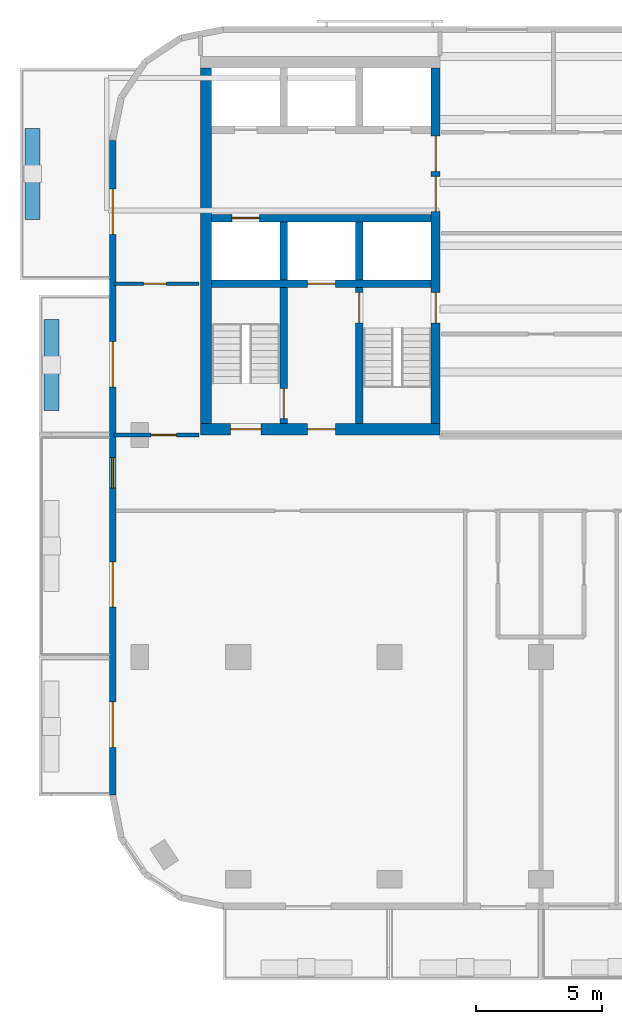
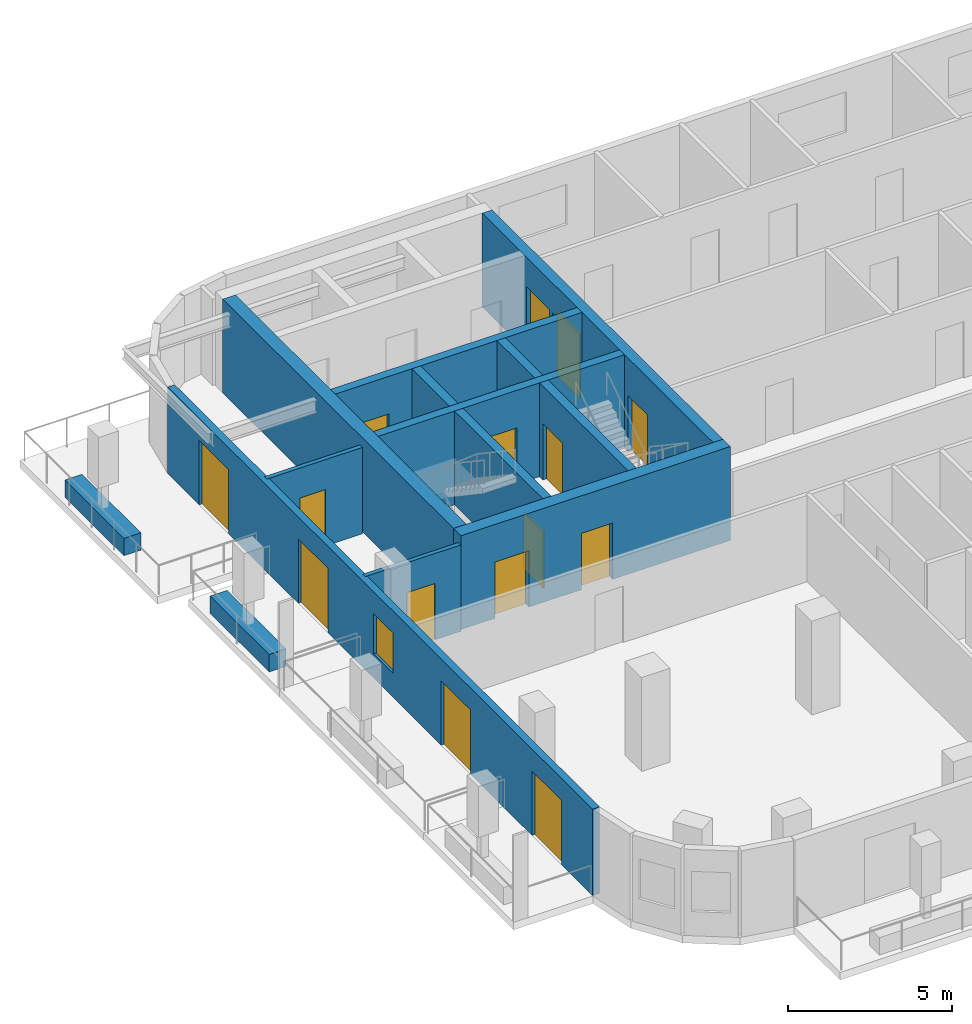
# One storey, part 3 of 11: 15 doors, 14 walls, 1 window, 16 openings.
"""IFC4 building model written with IfcOpenShell, lengths in metres."""

import ifcopenshell
import ifcopenshell.guid

model = None  # the IFC model being written
_history = None  # IfcOwnerHistory: only IFC2X3 demands one
_inside = {}  # id of a spatial element -> (the spatial element, [elements in it])
_under = {}  # id of a project, library or spatial element -> (it, [spatial elements below it])
_declared = {}  # id of a project -> (the project, [libraries it declares])
_typed = {}  # id of a type object -> (the type object, [elements of that type])
_made_of = {}  # id of a material, layer set ... -> (it, [elements and type objects made of it])


def new_model(schema):
    """Start an empty IFC model of exactly this schema.

    Asked for "IFC4X3", IfcOpenShell would pick the latest addendum, in which some entities
    have other attributes; the version numbers below select the first issue.
    IFC2X3 requires an IfcOwnerHistory on every rooted entity: one is made here for all.
    """
    global model, _history
    if schema == "IFC4X3":
        model = ifcopenshell.file(schema_version=(4, 3, 0, 0))
    else:
        model = ifcopenshell.file(schema=schema)
    _inside.clear()
    _under.clear()
    _declared.clear()
    _typed.clear()
    _made_of.clear()
    _history = None
    if model.schema == "IFC2X3":
        org = make("IfcOrganization", Name="unknown")
        user = make(
            "IfcPersonAndOrganization",
            ThePerson=make("IfcPerson", FamilyName="unknown"),
            TheOrganization=org,
        )
        app = make(
            "IfcApplication",
            ApplicationDeveloper=org,
            Version="unknown",
            ApplicationFullName="unknown",
            ApplicationIdentifier="unknown",
        )
        _history = make(
            "IfcOwnerHistory",
            OwningUser=user,
            OwningApplication=app,
            ChangeAction="ADDED",
            CreationDate=0,
        )
    return model


def make(cls, **values):
    """One entity of the class cls with the attributes given. An attribute that is None is left unset."""
    return model.create_entity(
        cls, **{name: value for name, value in values.items() if value is not None}
    )


def rooted(cls, **values):
    """An entity with a GlobalId (a new one), such as an element, a storey or a relation."""
    return make(cls, GlobalId=ifcopenshell.guid.new(), OwnerHistory=_history, **values)


def si_unit(unit_type, name, prefix=None):
    """IfcSIUnit, for example si_unit("LENGTHUNIT", "METRE", prefix="MILLI")."""
    return make("IfcSIUnit", UnitType=unit_type, Prefix=prefix, Name=name)


def assignment(units):
    """IfcUnitAssignment: the units of a project."""
    return None if units is None else make("IfcUnitAssignment", Units=units)


def point(xyz):
    """IfcCartesianPoint."""
    return None if xyz is None else make("IfcCartesianPoint", Coordinates=xyz)


def direction(xyz):
    """IfcDirection."""
    return None if xyz is None else make("IfcDirection", DirectionRatios=xyz)


def frame(location, z_axis=None, x_axis=None):
    """IfcAxis2Placement3D, a coordinate frame: its origin and axes. An axis left out is left unset."""
    return make(
        "IfcAxis2Placement3D",
        Location=point(location),
        Axis=direction(z_axis),
        RefDirection=direction(x_axis),
    )


def frame_2d(location, x_axis=None):
    """IfcAxis2Placement2D, a coordinate frame in the plane: its origin and x axis."""
    return make(
        "IfcAxis2Placement2D", Location=point(location), RefDirection=direction(x_axis)
    )


def origin():
    """The frame at (0, 0, 0) with its axes left unset."""
    return frame((0.0, 0.0, 0.0))


def place(relative_to, where):
    """IfcLocalPlacement: puts the frame where relative to a parent placement (None: the world)."""
    return make(
        "IfcLocalPlacement", PlacementRelTo=relative_to, RelativePlacement=where
    )


def context(
    kind, dimensions, precision=None, world=None, true_north=None, identifier=None
):
    """IfcGeometricRepresentationContext, for example the 3D "Model" context."""
    return make(
        "IfcGeometricRepresentationContext",
        ContextIdentifier=identifier,
        ContextType=kind,
        CoordinateSpaceDimension=dimensions,
        Precision=precision,
        WorldCoordinateSystem=world,
        TrueNorth=true_north,
    )


def subcontext(parent, identifier, kind, view, scale=None):
    """IfcGeometricRepresentationSubContext, for example "Body" below "Model"."""
    return make(
        "IfcGeometricRepresentationSubContext",
        ContextIdentifier=identifier,
        ContextType=kind,
        ParentContext=parent,
        TargetScale=scale,
        TargetView=view,
    )


def project(units=None, contexts=None):
    """IfcProject with its units and contexts."""
    return rooted(
        "IfcProject",
        Name="project",
        RepresentationContexts=contexts,
        UnitsInContext=assignment(units),
    )


def spatial(cls, under=None, at=None, **own):
    """A site, building, storey or space (cls), placed at a placement, below another one or the project."""
    s = rooted(cls, ObjectPlacement=at, **own)
    if under is not None:
        _under.setdefault(under.id(), (under, []))[1].append(s)
    return s


def profile(cls, at=None, kind="AREA", **sizes):
    """A parametric profile (cls). Its sizes go by their IFC names, for example OverallWidth=200.0."""
    return make(cls, ProfileType=kind, Position=at, **sizes)


def rectangle(**sizes):
    """IfcRectangleProfileDef."""
    return profile("IfcRectangleProfileDef", **sizes)


def extrude(swept, where, along, depth):
    """IfcExtrudedAreaSolid: the profile swept, set in the frame where, extruded along a direction by depth."""
    return make(
        "IfcExtrudedAreaSolid",
        SweptArea=swept,
        Position=where,
        ExtrudedDirection=direction(along),
        Depth=depth,
    )


def shape(context_of_items, identifier, shape_type, items):
    """IfcShapeRepresentation: the items that make up one representation, for example the "Body"."""
    return make(
        "IfcShapeRepresentation",
        ContextOfItems=context_of_items,
        RepresentationIdentifier=identifier,
        RepresentationType=shape_type,
        Items=items,
    )


def material(Name=None, Category=None):
    """IfcMaterial."""
    return make("IfcMaterial", Name=Name, Category=Category)


def layer(
    of_material, thickness, ventilated=None, Name=None, Category=None, Priority=None
):
    """IfcMaterialLayer: one layer of a wall or slab, of a material (None: an air gap)."""
    return make(
        "IfcMaterialLayer",
        Material=of_material,
        LayerThickness=thickness,
        IsVentilated=ventilated,
        Name=Name,
        Category=Category,
        Priority=Priority,
    )


def layer_set(layers, Name=None):
    """IfcMaterialLayerSet."""
    return make("IfcMaterialLayerSet", MaterialLayers=layers, LayerSetName=Name)


def made_of(thing, what):
    """Note that an element or type object is made of a material, layer set ...; save() writes the relation."""
    if what is not None:
        _made_of.setdefault(what.id(), (what, []))[1].append(thing)
    return thing


def type_object(cls, material=None, **own):
    """A type object (cls), such as IfcWallType, which elements share."""
    return made_of(rooted(cls, **own), material)


def element(
    cls,
    number,
    at=None,
    inside=None,
    cuts=None,
    type_object=None,
    material=None,
    context=None,
    identifier="Body",
    shape_type=None,
    held_by="IfcProductDefinitionShape",
    body=None,
    shapes=None,
    **own,
):
    """One element of the class cls, such as IfcWall. Its Tag is "e" and its number.

    at: its placement. inside: the storey or other place that contains it. cuts: it is an
    opening in that element (IfcRelVoidsElement). A single representation is given by context,
    identifier, shape_type and body (its items); several are given by shapes. held_by: the class
    of the entity that holds the representations. save() writes the other relations.
    """
    e = rooted(cls, Tag="e%d" % number, ObjectPlacement=at, **own)
    if body is not None:
        shapes = [shape(context, identifier, shape_type, body)]
    if shapes is not None:
        e.Representation = make(held_by, Representations=shapes)
    if inside is not None:
        _inside.setdefault(inside.id(), (inside, []))[1].append(e)
    if cuts is not None:
        rooted(
            "IfcRelVoidsElement", RelatingBuildingElement=cuts, RelatedOpeningElement=e
        )
    if type_object is not None:
        _typed.setdefault(type_object.id(), (type_object, []))[1].append(e)
    return made_of(e, material)


def fill(opening, filler):
    """IfcRelFillsElement: the door or window that sits in an opening."""
    return rooted(
        "IfcRelFillsElement",
        RelatingOpeningElement=opening,
        RelatedBuildingElement=filler,
    )


def aggregate(whole, parts):
    """IfcRelAggregates: a whole, such as a stair, and the parts it consists of."""
    return rooted("IfcRelAggregates", RelatingObject=whole, RelatedObjects=parts)


def save(model, path):
    """Write the relations noted so far, then the file.

    IfcRelAggregates (storeys below a building ...), IfcRelContainedInSpatialStructure (elements
    in a storey), IfcRelDefinesByType, IfcRelAssociatesMaterial and IfcRelDeclares: one each for
    every whole, place, type object, material and project.
    """
    for whole, parts in _under.values():
        aggregate(whole, parts)
    for where, things in _inside.values():
        rooted(
            "IfcRelContainedInSpatialStructure",
            RelatedElements=things,
            RelatingStructure=where,
        )
    for kind, things in _typed.values():
        rooted("IfcRelDefinesByType", RelatedObjects=things, RelatingType=kind)
    for what, things in _made_of.values():
        rooted("IfcRelAssociatesMaterial", RelatedObjects=things, RelatingMaterial=what)
    for by, libraries in _declared.values():
        rooted("IfcRelDeclares", RelatingContext=by, RelatedDefinitions=libraries)
    model.write(path)


model = new_model("IFC4")

# Units and contexts
model_context = context("Model", 3, precision=1e-05, world=origin(), true_north=direction((0.0, 1.0)))
body_context = subcontext(model_context, "Body", "Model", "MODEL_VIEW")
ifc_project = project(units=[si_unit("LENGTHUNIT", "METRE"), si_unit("AREAUNIT", "SQUARE_METRE"), si_unit("VOLUMEUNIT", "CUBIC_METRE"), si_unit("PLANEANGLEUNIT", "RADIAN"), si_unit("MASSUNIT", "GRAM", prefix="KILO")], contexts=[model_context])

# Site, building, storey
site_placement = place(None, origin())
site = spatial("IfcSite", under=ifc_project, at=site_placement, CompositionType="ELEMENT")
building_placement = place(site_placement, origin())
building = spatial("IfcBuilding", under=site, at=building_placement, Name="Torana Hotel and Residences", CompositionType="ELEMENT")
storey_placement = place(building_placement, frame((0.0, 0.0, 266.60009765625)))
storey = spatial("IfcBuildingStorey", under=building, at=storey_placement, Name="L70", CompositionType="ELEMENT", Elevation=266.60009765625)

# Wall, opening, door
ifc_material_1 = material(Name="Concrete C60/75", Category="concrete")
ifc_layer_1 = layer(ifc_material_1, 0.300048828125)
ifc_layer_set_1 = layer_set([ifc_layer_1], Name="CORE WALL 300 C60/75")
wall_type_1 = type_object("IfcWallType", Name="CORE WALL 300 C60/75", PredefinedType="SHEAR", material=ifc_layer_set_1)
wall_1_placement = place(storey_placement, frame((-19.050048828125, -6.39990234375, 0.0), z_axis=(0.0, 0.0, 1.0), x_axis=(1.0, 0.0, 0.0)))
wall_1 = element("IfcWall", 1, at=wall_1_placement, inside=storey, type_object=wall_type_1, Name="Core wall W row-S", PredefinedType="SHEAR", context=body_context, shape_type="SweptSolid", body=[
    extrude(rectangle(XDim=8.699951171875, YDim=0.300048828125, at=frame_2d((4.35009765625, 0.0))), origin(), (0.0, 0.0, 1.0), 3.5),
])
opening_1_placement = place(wall_1_placement, frame((0.800048828125, 0.0, 0.0)))
opening_1 = element("IfcOpeningElement", 2, at=opening_1_placement, cuts=wall_1, Name="Opening LD", PredefinedType="OPENING", context=body_context, shape_type="SweptSolid", body=[
    extrude(rectangle(XDim=1.10009765625, YDim=2.10009765625, at=frame_2d((0.550048828125, 1.050048828125))), frame((0.0, 0.159912109375, 0.0), z_axis=(0.0, -1.0, 0.0), x_axis=(1.0, 0.0, 0.0)), (0.0, 0.0, 1.0), 0.320068359375),
])
ifc_material_2 = material(Name="Stainless steel 316", Category="steel")
door_type_1 = type_object("IfcDoorType", Name="LIFT LANDING DOOR LD 1100x2100", OperationType="DOUBLE_DOOR_SLIDING", PredefinedType="USERDEFINED", material=ifc_material_2)
door_1_placement = place(opening_1_placement, origin())
door_1 = element("IfcDoor", 3, at=door_1_placement, inside=storey, type_object=door_type_1, Name="Lift landing door SV1 L70", ObjectType="LIFT LANDING DOOR", OperationType="DOUBLE_DOOR_SLIDING", OverallHeight=2.10009765625, OverallWidth=1.10009765625, PredefinedType="USERDEFINED", context=body_context, shape_type="SweptSolid", body=[
    extrude(rectangle(XDim=1.10009765625, YDim=2.10009765625, at=frame_2d((0.550048828125, 1.050048828125))), frame((0.0, 0.02490234375, 0.0), z_axis=(0.0, -1.0, 0.0), x_axis=(1.0, 0.0, 0.0)), (0.0, 0.0, 1.0), 0.050048828125),
])
fill(opening_1, door_1)

wall_2_placement = place(storey_placement, frame((-19.050048828125, -9.0, 0.0), z_axis=(0.0, 0.0, 1.0), x_axis=(1.0, 0.0, 0.0)))
wall_2 = element("IfcWall", 4, at=wall_2_placement, inside=storey, type_object=wall_type_1, Name="Core wall W band", PredefinedType="SHEAR", context=body_context, shape_type="SweptSolid", body=[
    extrude(rectangle(XDim=8.699951171875, YDim=0.300048828125, at=frame_2d((4.35009765625, 0.0))), origin(), (0.0, 0.0, 1.0), 3.5),
])
opening_2_placement = place(wall_2_placement, frame((3.800048828125, 0.0, 0.0)))
opening_2 = element("IfcOpeningElement", 5, at=opening_2_placement, cuts=wall_2, Name="Opening LD", PredefinedType="OPENING", context=body_context, shape_type="SweptSolid", body=[
    extrude(rectangle(XDim=1.10009765625, YDim=2.10009765625, at=frame_2d((0.550048828125, 1.050048828125))), frame((0.0, 0.159912109375, 0.0), z_axis=(0.0, -1.0, 0.0), x_axis=(1.0, 0.0, 0.0)), (0.0, 0.0, 1.0), 0.320068359375),
])
door_2_placement = place(opening_2_placement, origin())
door_2 = element("IfcDoor", 6, at=door_2_placement, inside=storey, type_object=door_type_1, Name="Lift landing door FF1 L70", ObjectType="LIFT LANDING DOOR", OperationType="DOUBLE_DOOR_SLIDING", OverallHeight=2.10009765625, OverallWidth=1.10009765625, PredefinedType="USERDEFINED", context=body_context, shape_type="SweptSolid", body=[
    extrude(rectangle(XDim=1.10009765625, YDim=2.10009765625, at=frame_2d((0.550048828125, 1.050048828125))), frame((0.0, 0.02490234375, 0.0), z_axis=(0.0, -1.0, 0.0), x_axis=(1.0, 0.0, 0.0)), (0.0, 0.0, 1.0), 0.050048828125),
])
fill(opening_2, door_2)

# Wall
wall_3_placement = place(storey_placement, frame((-13.199951171875, -8.85009765625, 0.0), z_axis=(0.0, 0.0, 1.0), x_axis=(0.0, 1.0, 0.0)))
element("IfcWall", 7, at=wall_3_placement, inside=storey, type_object=wall_type_1, Name="Core wall W x3.05-S", PredefinedType="SHEAR", context=body_context, shape_type="SweptSolid", body=[
    extrude(rectangle(XDim=2.300048828125, YDim=0.300048828125, at=frame_2d((1.14990234375, 0.0))), origin(), (0.0, 0.0, 1.0), 3.5),
])

# Wall, opening, door
wall_4_placement = place(storey_placement, frame((-13.199951171875, -14.550048828125, 0.0), z_axis=(0.0, 0.0, 1.0), x_axis=(0.0, 1.0, 0.0)))
wall_4 = element("IfcWall", 8, at=wall_4_placement, inside=storey, type_object=wall_type_1, Name="Core wall W x3.05-band", PredefinedType="SHEAR", context=body_context, shape_type="SweptSolid", body=[
    extrude(rectangle(XDim=5.400146484375, YDim=0.300048828125, at=frame_2d((2.7001953125, 0.0))), origin(), (0.0, 0.0, 1.0), 3.5),
])
opening_3_placement = place(wall_4_placement, frame((4.0, 0.0, 0.0)))
opening_3 = element("IfcOpeningElement", 9, at=opening_3_placement, cuts=wall_4, Name="Opening L70-07", PredefinedType="OPENING", context=body_context, shape_type="SweptSolid", body=[
    extrude(rectangle(XDim=1.199951171875, YDim=2.10009765625, at=frame_2d((0.60009765625, 1.050048828125))), frame((0.0, 0.159912109375, 0.0), z_axis=(0.0, -1.0, 0.0), x_axis=(1.0, 0.0, 0.0)), (0.0, 0.0, 1.0), 0.320068359375),
])
ifc_material_3 = material(Name="Steel S235", Category="steel")
door_type_2 = type_object("IfcDoorType", Name="STAIR FIRE DOOR D3 1200x2100", OperationType="SINGLE_SWING_LEFT", PredefinedType="DOOR", material=ifc_material_3)
door_3_placement = place(opening_3_placement, frame((0.60009765625, 0.0, 0.0), z_axis=(0.0, 0.0, 1.0), x_axis=(-1.0, 0.0, 0.0)))
door_3 = element("IfcDoor", 10, at=door_3_placement, inside=storey, type_object=door_type_2, Name="Stair-A-lobby door L70", OperationType="SINGLE_SWING_RIGHT", OverallHeight=2.10009765625, OverallWidth=1.199951171875, PredefinedType="DOOR", context=body_context, shape_type="SweptSolid", body=[
    extrude(rectangle(XDim=1.199951171875, YDim=2.10009765625, at=frame_2d((0.0, 1.050048828125))), frame((0.0, -0.02490234375, 0.0), z_axis=(0.0, 1.0, 0.0), x_axis=(-1.0, 0.0, 0.0)), (0.0, 0.0, 1.0), 0.050048828125),
])
fill(opening_3, door_3)

# Wall
wall_5_placement = place(storey_placement, frame((-16.199951171875, -8.85009765625, 0.0), z_axis=(0.0, 0.0, 1.0), x_axis=(0.0, 1.0, 0.0)))
element("IfcWall", 11, at=wall_5_placement, inside=storey, type_object=wall_type_1, Name="Core wall W x6.05-S", PredefinedType="SHEAR", context=body_context, shape_type="SweptSolid", body=[
    extrude(rectangle(XDim=2.300048828125, YDim=0.300048828125, at=frame_2d((1.14990234375, 0.0))), origin(), (0.0, 0.0, 1.0), 3.5),
])

# Wall, opening, door
wall_6_placement = place(storey_placement, frame((-16.199951171875, -14.550048828125, 0.0), z_axis=(0.0, 0.0, 1.0), x_axis=(0.0, 1.0, 0.0)))
wall_6 = element("IfcWall", 12, at=wall_6_placement, inside=storey, type_object=wall_type_1, Name="Core wall W x6.05-band", PredefinedType="SHEAR", context=body_context, shape_type="SweptSolid", body=[
    extrude(rectangle(XDim=5.400146484375, YDim=0.300048828125, at=frame_2d((2.7001953125, 0.0))), origin(), (0.0, 0.0, 1.0), 3.5),
])
opening_4_placement = place(wall_6_placement, frame((0.199951171875, 0.0, 0.0)))
opening_4 = element("IfcOpeningElement", 13, at=opening_4_placement, cuts=wall_6, Name="Opening L70-08", PredefinedType="OPENING", context=body_context, shape_type="SweptSolid", body=[
    extrude(rectangle(XDim=1.199951171875, YDim=2.10009765625, at=frame_2d((0.60009765625, 1.050048828125))), frame((0.0, 0.159912109375, 0.0), z_axis=(0.0, -1.0, 0.0), x_axis=(1.0, 0.0, 0.0)), (0.0, 0.0, 1.0), 0.320068359375),
])
door_4_placement = place(opening_4_placement, origin())
door_4 = element("IfcDoor", 14, at=door_4_placement, inside=storey, type_object=door_type_2, Name="Stair-B-lobby door L70", OperationType="SINGLE_SWING_RIGHT", OverallHeight=2.10009765625, OverallWidth=1.199951171875, PredefinedType="DOOR", context=body_context, shape_type="SweptSolid", body=[
    extrude(rectangle(XDim=1.199951171875, YDim=2.10009765625, at=frame_2d((0.60009765625, 1.050048828125))), frame((0.0, 0.02490234375, 0.0), z_axis=(0.0, -1.0, 0.0), x_axis=(1.0, 0.0, 0.0)), (0.0, 0.0, 1.0), 0.050048828125),
])
fill(opening_4, door_4)

# Wall, openings, doors
ifc_material_4 = material(Name="Concrete C60/75", Category="concrete")
ifc_layer_2 = layer(ifc_material_4, 0.35009765625)
ifc_layer_set_2 = layer_set([ifc_layer_2], Name="CORE WALL 350 C60/75")
wall_type_2 = type_object("IfcWallType", Name="CORE WALL 350 C60/75", PredefinedType="SHEAR", material=ifc_layer_set_2)
wall_7_placement = place(storey_placement, frame((-10.175048828125, -14.550048828125, 0.0), z_axis=(0.0, 0.0, 1.0), x_axis=(0.0, 1.0, 0.0)))
wall_7 = element("IfcWall", 15, at=wall_7_placement, inside=storey, type_object=wall_type_2, Name="Core wall W arch", PredefinedType="SHEAR", context=body_context, shape_type="SweptSolid", body=[
    extrude(rectangle(XDim=14.10009765625, YDim=0.35009765625, at=frame_2d((7.050048828125, 0.0))), origin(), (0.0, 0.0, 1.0), 3.5),
])
opening_5_placement = place(wall_7_placement, frame((8.39990234375, 0.0, 0.0)))
opening_5 = element("IfcOpeningElement", 16, at=opening_5_placement, cuts=wall_7, Name="Opening L70-01", PredefinedType="OPENING", context=body_context, shape_type="SweptSolid", body=[
    extrude(rectangle(XDim=1.39990234375, YDim=2.39990234375, at=frame_2d((0.699951171875, 1.199951171875))), frame((0.0, 0.18505859375, 0.0), z_axis=(0.0, -1.0, 0.0), x_axis=(1.0, 0.0, 0.0)), (0.0, 0.0, 1.0), 0.3701171875),
])
opening_6_placement = place(wall_7_placement, frame((10.0, 0.0, 0.0)))
opening_6 = element("IfcOpeningElement", 17, at=opening_6_placement, cuts=wall_7, Name="Opening L70-02", PredefinedType="OPENING", context=body_context, shape_type="SweptSolid", body=[
    extrude(rectangle(XDim=1.39990234375, YDim=2.39990234375, at=frame_2d((0.699951171875, 1.199951171875))), frame((0.0, 0.18505859375, 0.0), z_axis=(0.0, -1.0, 0.0), x_axis=(1.0, 0.0, 0.0)), (0.0, 0.0, 1.0), 0.3701171875),
])
opening_7_placement = place(wall_7_placement, frame((4.0, 0.0, 0.0)))
opening_7 = element("IfcOpeningElement", 18, at=opening_7_placement, cuts=wall_7, Name="Opening L70-03", PredefinedType="OPENING", context=body_context, shape_type="SweptSolid", body=[
    extrude(rectangle(XDim=1.199951171875, YDim=2.10009765625, at=frame_2d((0.60009765625, 1.050048828125))), frame((0.0, 0.18505859375, 0.0), z_axis=(0.0, -1.0, 0.0), x_axis=(1.0, 0.0, 0.0)), (0.0, 0.0, 1.0), 0.3701171875),
])
ifc_material_5 = material(Name="Steel S235", Category="steel")
door_type_3 = type_object("IfcDoorType", Name="LOBBY FIRE DOOR D4 1400x2400", OperationType="DOUBLE_DOOR_SINGLE_SWING", PredefinedType="DOOR", material=ifc_material_5)
door_5_placement = place(opening_5_placement, origin())
door_5 = element("IfcDoor", 19, at=door_5_placement, inside=storey, type_object=door_type_3, Name="Lobby-1 door L70", OperationType="DOUBLE_DOOR_SINGLE_SWING", OverallHeight=2.39990234375, OverallWidth=1.39990234375, PredefinedType="DOOR", context=body_context, shape_type="SweptSolid", body=[
    extrude(rectangle(XDim=1.39990234375, YDim=2.39990234375, at=frame_2d((0.699951171875, 1.199951171875))), frame((0.0, 0.02490234375, 0.0), z_axis=(0.0, -1.0, 0.0), x_axis=(1.0, 0.0, 0.0)), (0.0, 0.0, 1.0), 0.050048828125),
])
fill(opening_5, door_5)
door_6_placement = place(opening_6_placement, origin())
door_6 = element("IfcDoor", 20, at=door_6_placement, inside=storey, type_object=door_type_3, Name="Lobby-2 door L70", OperationType="DOUBLE_DOOR_SINGLE_SWING", OverallHeight=2.39990234375, OverallWidth=1.39990234375, PredefinedType="DOOR", context=body_context, shape_type="SweptSolid", body=[
    extrude(rectangle(XDim=1.39990234375, YDim=2.39990234375, at=frame_2d((0.699951171875, 1.199951171875))), frame((0.0, 0.02490234375, 0.0), z_axis=(0.0, -1.0, 0.0), x_axis=(1.0, 0.0, 0.0)), (0.0, 0.0, 1.0), 0.050048828125),
])
fill(opening_6, door_6)
door_7_placement = place(opening_7_placement, origin())
door_7 = element("IfcDoor", 21, at=door_7_placement, inside=storey, type_object=door_type_2, Name="Stair-A door L70", OperationType="SINGLE_SWING_LEFT", OverallHeight=2.10009765625, OverallWidth=1.199951171875, PredefinedType="DOOR", context=body_context, shape_type="SweptSolid", body=[
    extrude(rectangle(XDim=1.199951171875, YDim=2.10009765625, at=frame_2d((0.60009765625, 1.050048828125))), frame((0.0, 0.02490234375, 0.0), z_axis=(0.0, -1.0, 0.0), x_axis=(1.0, 0.0, 0.0)), (0.0, 0.0, 1.0), 0.050048828125),
])
fill(opening_7, door_7)

ifc_material_6 = material(Name="Concrete C60/75", Category="concrete")
ifc_layer_3 = layer(ifc_material_6, 0.449951171875)
ifc_layer_set_3 = layer_set([ifc_layer_3], Name="CORE WALL 450 C60/75")
wall_type_3 = type_object("IfcWallType", Name="CORE WALL 450 C60/75", PredefinedType="SHEAR", material=ifc_layer_set_3)
wall_8_placement = place(storey_placement, frame((-19.5, -14.77490234375, 0.0), z_axis=(0.0, 0.0, 1.0), x_axis=(1.0, 0.0, 0.0)))
wall_8 = element("IfcWall", 22, at=wall_8_placement, inside=storey, type_object=wall_type_3, Name="Core wall W front", PredefinedType="SHEAR", context=body_context, shape_type="SweptSolid", body=[
    extrude(rectangle(XDim=9.5, YDim=0.449951171875, at=frame_2d((4.75, 0.0))), origin(), (0.0, 0.0, 1.0), 3.5),
])
opening_8_placement = place(wall_8_placement, frame((1.199951171875, 0.0, 0.0)))
opening_8 = element("IfcOpeningElement", 23, at=opening_8_placement, cuts=wall_8, Name="Opening L70-04", PredefinedType="OPENING", context=body_context, shape_type="SweptSolid", body=[
    extrude(rectangle(XDim=1.199951171875, YDim=2.10009765625, at=frame_2d((0.60009765625, 1.050048828125))), frame((0.0, 0.23486328125, 0.0), z_axis=(0.0, -1.0, 0.0), x_axis=(1.0, 0.0, 0.0)), (0.0, 0.0, 1.0), 0.469970703125),
])
opening_9_placement = place(wall_8_placement, frame((4.25, 0.0, 0.0)))
opening_9 = element("IfcOpeningElement", 24, at=opening_9_placement, cuts=wall_8, Name="Opening L70-05", PredefinedType="OPENING", context=body_context, shape_type="SweptSolid", body=[
    extrude(rectangle(XDim=1.10009765625, YDim=2.10009765625, at=frame_2d((0.550048828125, 1.050048828125))), frame((0.0, 0.23486328125, 0.0), z_axis=(0.0, -1.0, 0.0), x_axis=(1.0, 0.0, 0.0)), (0.0, 0.0, 1.0), 0.469970703125),
])
ifc_material_7 = material(Name="Steel S235", Category="steel")
door_type_4 = type_object("IfcDoorType", Name="FIRE-FIGHTING LOBBY DOOR D8 1100x2100", OperationType="SINGLE_SWING_LEFT", PredefinedType="DOOR", material=ifc_material_7)
door_8_placement = place(opening_9_placement, origin())
door_8 = element("IfcDoor", 25, at=door_8_placement, inside=storey, type_object=door_type_4, Name="FF-lobby door L70", OperationType="SINGLE_SWING_RIGHT", OverallHeight=2.10009765625, OverallWidth=1.10009765625, PredefinedType="DOOR", context=body_context, shape_type="SweptSolid", body=[
    extrude(rectangle(XDim=1.10009765625, YDim=2.10009765625, at=frame_2d((0.550048828125, 1.050048828125))), frame((0.0, 0.02490234375, 0.0), z_axis=(0.0, -1.0, 0.0), x_axis=(1.0, 0.0, 0.0)), (0.0, 0.0, 1.0), 0.050048828125),
])
fill(opening_9, door_8)
door_9_placement = place(opening_8_placement, origin())
door_9 = element("IfcDoor", 26, at=door_9_placement, inside=storey, type_object=door_type_2, Name="Stair-B door L70", OperationType="SINGLE_SWING_RIGHT", OverallHeight=2.10009765625, OverallWidth=1.199951171875, PredefinedType="DOOR", context=body_context, shape_type="SweptSolid", body=[
    extrude(rectangle(XDim=1.199951171875, YDim=2.10009765625, at=frame_2d((0.60009765625, 1.050048828125))), frame((0.0, 0.02490234375, 0.0), z_axis=(0.0, -1.0, 0.0), x_axis=(1.0, 0.0, 0.0)), (0.0, 0.0, 1.0), 0.050048828125),
])
fill(opening_8, door_9)

# Wall
wall_9_placement = place(storey_placement, frame((-19.27490234375, -14.550048828125, 0.0), z_axis=(0.0, 0.0, 1.0), x_axis=(0.0, 1.0, 0.0)))
element("IfcWall", 27, at=wall_9_placement, inside=storey, type_object=wall_type_3, Name="Core wall W outer", PredefinedType="SHEAR", context=body_context, shape_type="SweptSolid", body=[
    extrude(rectangle(XDim=14.10009765625, YDim=0.449951171875, at=frame_2d((7.050048828125, 0.0))), origin(), (0.0, 0.0, 1.0), 3.5),
])

# Wall, openings, doors, window
ifc_material_8 = material(Name="Black aluminium composite panel", Category="aluminium")
ifc_layer_4 = layer(ifc_material_8, 0.00390625, Name="Cladding", Category="cladding")
ifc_material_9 = material(Name="Ventilated air cavity")
ifc_layer_5 = layer(ifc_material_9, 0.0400390625, Name="Ventilated cavity", Category="cavity")
ifc_material_10 = material(Name="Mineral wool insulation")
ifc_layer_6 = layer(ifc_material_10, 0.090087890625, Name="Insulation", Category="insulation")
ifc_material_11 = material(Name="Steel S280GD", Category="steel")
ifc_layer_7 = layer(ifc_material_11, 0.092041015625, Name="Steel stud frame", Category="structure")
ifc_material_12 = material(Name="Fire rated plasterboard")
ifc_layer_8 = layer(ifc_material_12, 0.011962890625, Name="Inner board", Category="finish")
ifc_layer_9 = layer(ifc_material_12, 0.011962890625, Name="Second board", Category="finish")
ifc_layer_set_4 = layer_set([ifc_layer_4, ifc_layer_5, ifc_layer_6, ifc_layer_7, ifc_layer_8, ifc_layer_9], Name="EW1 EXTERNAL WALL BLACK METAL CLAD 250")
wall_type_4 = type_object("IfcWallType", Name="EW1 EXTERNAL WALL BLACK METAL CLAD 250", PredefinedType="SOLIDWALL", material=ifc_layer_set_4)
wall_10_placement = place(storey_placement, frame((-22.97509765625, -3.32470703125, 0.0), z_axis=(0.0, 0.0, 1.0), x_axis=(0.0, -1.0, 0.0)))
wall_10 = element("IfcWall", 28, at=wall_10_placement, inside=storey, type_object=wall_type_4, Name="External wall L70 e0.9", PredefinedType="SOLIDWALL", context=body_context, shape_type="SweptSolid", body=[
    extrude(rectangle(XDim=25.95068359375, YDim=0.25, at=frame_2d((12.975341796875, 0.0))), origin(), (0.0, 0.0, 1.0), 3.219970703125),
])
opening_10_placement = place(wall_10_placement, frame((1.92529296875, 0.0, 0.0)))
opening_10 = element("IfcOpeningElement", 29, at=opening_10_placement, cuts=wall_10, Name="Opening L70-E11", PredefinedType="OPENING", context=body_context, shape_type="SweptSolid", body=[
    extrude(rectangle(XDim=1.800048828125, YDim=2.39990234375, at=frame_2d((0.89990234375, 1.199951171875))), frame((0.0, 0.135009765625, 0.0), z_axis=(0.0, -1.0, 0.0), x_axis=(1.0, 0.0, 0.0)), (0.0, 0.0, 1.0), 0.27001953125),
])
opening_11_placement = place(wall_10_placement, frame((7.975341796875, 0.0, 0.0)))
opening_11 = element("IfcOpeningElement", 30, at=opening_11_placement, cuts=wall_10, Name="Opening L70-E12", PredefinedType="OPENING", context=body_context, shape_type="SweptSolid", body=[
    extrude(rectangle(XDim=1.800048828125, YDim=2.39990234375, at=frame_2d((0.89990234375, 1.199951171875))), frame((0.0, 0.135009765625, 0.0), z_axis=(0.0, -1.0, 0.0), x_axis=(1.0, 0.0, 0.0)), (0.0, 0.0, 1.0), 0.27001953125),
])
opening_12_placement = place(wall_10_placement, frame((12.575439453125, 0.0, 0.89990234375)))
opening_12 = element("IfcOpeningElement", 31, at=opening_12_placement, cuts=wall_10, Name="Opening W5", PredefinedType="OPENING", context=body_context, shape_type="SweptSolid", body=[
    extrude(rectangle(XDim=1.199951171875, YDim=1.5, at=frame_2d((0.60009765625, 0.75))), frame((0.0, 0.135009765625, 0.0), z_axis=(0.0, -1.0, 0.0), x_axis=(1.0, 0.0, 0.0)), (0.0, 0.0, 1.0), 0.27001953125),
])
opening_13_placement = place(wall_10_placement, frame((16.700439453125, 0.0, 0.0)))
opening_13 = element("IfcOpeningElement", 32, at=opening_13_placement, cuts=wall_10, Name="Opening L70-E13", PredefinedType="OPENING", context=body_context, shape_type="SweptSolid", body=[
    extrude(rectangle(XDim=1.800048828125, YDim=2.39990234375, at=frame_2d((0.89990234375, 1.199951171875))), frame((0.0, 0.135009765625, 0.0), z_axis=(0.0, -1.0, 0.0), x_axis=(1.0, 0.0, 0.0)), (0.0, 0.0, 1.0), 0.27001953125),
])
opening_14_placement = place(wall_10_placement, frame((22.25048828125, 0.0, 0.0)))
opening_14 = element("IfcOpeningElement", 33, at=opening_14_placement, cuts=wall_10, Name="Opening L70-E14", PredefinedType="OPENING", context=body_context, shape_type="SweptSolid", body=[
    extrude(rectangle(XDim=1.800048828125, YDim=2.39990234375, at=frame_2d((0.89990234375, 1.199951171875))), frame((0.0, 0.135009765625, 0.0), z_axis=(0.0, -1.0, 0.0), x_axis=(1.0, 0.0, 0.0)), (0.0, 0.0, 1.0), 0.27001953125),
])
ifc_material_13 = material(Name="Dark glass in black aluminium frame", Category="aluminium")
door_type_5 = type_object("IfcDoorType", Name="DB1 BALCONY DOOR 1800x2400", OperationType="DOUBLE_DOOR_SINGLE_SWING", PredefinedType="DOOR", material=ifc_material_13)
door_10_placement = place(opening_10_placement, origin())
door_10 = element("IfcDoor", 34, at=door_10_placement, inside=storey, type_object=door_type_5, Name="Balcony door L70", OperationType="DOUBLE_DOOR_SINGLE_SWING", OverallHeight=2.39990234375, OverallWidth=1.800048828125, PredefinedType="DOOR", context=body_context, shape_type="SweptSolid", body=[
    extrude(rectangle(XDim=1.800048828125, YDim=2.39990234375, at=frame_2d((0.89990234375, 1.199951171875))), frame((0.0, 0.02490234375, 0.0), z_axis=(0.0, -1.0, 0.0), x_axis=(1.0, 0.0, 0.0)), (0.0, 0.0, 1.0), 0.050048828125),
])
fill(opening_10, door_10)
door_11_placement = place(opening_11_placement, origin())
door_11 = element("IfcDoor", 35, at=door_11_placement, inside=storey, type_object=door_type_5, Name="Balcony door L70", OperationType="DOUBLE_DOOR_SINGLE_SWING", OverallHeight=2.39990234375, OverallWidth=1.800048828125, PredefinedType="DOOR", context=body_context, shape_type="SweptSolid", body=[
    extrude(rectangle(XDim=1.800048828125, YDim=2.39990234375, at=frame_2d((0.89990234375, 1.199951171875))), frame((0.0, 0.02490234375, 0.0), z_axis=(0.0, -1.0, 0.0), x_axis=(1.0, 0.0, 0.0)), (0.0, 0.0, 1.0), 0.050048828125),
])
fill(opening_11, door_11)
door_12_placement = place(opening_13_placement, origin())
door_12 = element("IfcDoor", 36, at=door_12_placement, inside=storey, type_object=door_type_5, Name="Balcony door L70", OperationType="DOUBLE_DOOR_SINGLE_SWING", OverallHeight=2.39990234375, OverallWidth=1.800048828125, PredefinedType="DOOR", context=body_context, shape_type="SweptSolid", body=[
    extrude(rectangle(XDim=1.800048828125, YDim=2.39990234375, at=frame_2d((0.89990234375, 1.199951171875))), frame((0.0, 0.02490234375, 0.0), z_axis=(0.0, -1.0, 0.0), x_axis=(1.0, 0.0, 0.0)), (0.0, 0.0, 1.0), 0.050048828125),
])
fill(opening_13, door_12)
door_13_placement = place(opening_14_placement, origin())
door_13 = element("IfcDoor", 37, at=door_13_placement, inside=storey, type_object=door_type_5, Name="Balcony door L70", OperationType="DOUBLE_DOOR_SINGLE_SWING", OverallHeight=2.39990234375, OverallWidth=1.800048828125, PredefinedType="DOOR", context=body_context, shape_type="SweptSolid", body=[
    extrude(rectangle(XDim=1.800048828125, YDim=2.39990234375, at=frame_2d((0.89990234375, 1.199951171875))), frame((0.0, 0.02490234375, 0.0), z_axis=(0.0, -1.0, 0.0), x_axis=(1.0, 0.0, 0.0)), (0.0, 0.0, 1.0), 0.050048828125),
])
fill(opening_14, door_13)
ifc_material_14 = material(Name="Dark glass in black aluminium frame", Category="aluminium")
window_type = type_object("IfcWindowType", Name="W5 CORNER FACET WINDOW 1200x1500", PartitioningType="SINGLE_PANEL", PredefinedType="WINDOW", material=ifc_material_14)
window_placement = place(opening_12_placement, origin())
window = element("IfcWindow", 38, at=window_placement, inside=storey, type_object=window_type, Name="Window L70", OverallHeight=1.5, OverallWidth=1.199951171875, PartitioningType="SINGLE_PANEL", PredefinedType="WINDOW", context=body_context, shape_type="SweptSolid", body=[
    extrude(rectangle(XDim=1.199951171875, YDim=1.5, at=frame_2d((0.60009765625, 0.75))), frame((0.0, 0.030029296875, 0.0), z_axis=(0.0, -1.0, 0.0), x_axis=(1.0, 0.0, 0.0)), (0.0, 0.0, 1.0), 0.06005859375),
])
fill(opening_12, window)

# Wall, opening, door
ifc_material_15 = material(Name="Gypsum plaster")
ifc_layer_10 = layer(ifc_material_15, 0.014892578125, Name="Plaster", Category="finish")
ifc_material_16 = material(Name="Concrete blockwork", Category="masonry")
ifc_layer_11 = layer(ifc_material_16, 0.1201171875, Name="Blockwork", Category="structure")
ifc_layer_12 = layer(ifc_material_15, 0.014892578125, Name="Plaster", Category="finish")
ifc_layer_set_5 = layer_set([ifc_layer_10, ifc_layer_11, ifc_layer_12], Name="FIRE PARTITION 150 BLOCKWORK")
wall_type_5 = type_object("IfcWallType", Name="FIRE PARTITION 150 BLOCKWORK", PredefinedType="PARTITIONING", material=ifc_layer_set_5)
wall_11_placement = place(storey_placement, frame((-22.919921875, -15.0, 0.0), z_axis=(0.0, 0.0, 1.0), x_axis=(1.0, 0.0, 0.0)))
wall_11 = element("IfcWall", 39, at=wall_11_placement, inside=storey, type_object=wall_type_5, Name="Partition L70", PredefinedType="PARTITIONING", context=body_context, shape_type="SweptSolid", body=[
    extrude(rectangle(XDim=3.369873046875, YDim=0.14990234375, at=frame_2d((1.68505859375, 0.0))), origin(), (0.0, 0.0, 1.0), 3.219970703125),
])
opening_15_placement = place(wall_11_placement, frame((1.469970703125, 0.0, 0.0)))
opening_15 = element("IfcOpeningElement", 40, at=opening_15_placement, cuts=wall_11, Name="Opening L70-26", PredefinedType="OPENING", context=body_context, shape_type="SweptSolid", body=[
    extrude(rectangle(XDim=1.0, YDim=2.10009765625, at=frame_2d((0.5, 1.050048828125))), frame((0.0, 0.0849609375, 0.0), z_axis=(0.0, -1.0, 0.0), x_axis=(1.0, 0.0, 0.0)), (0.0, 0.0, 1.0), 0.169921875),
])
ifc_material_17 = material(Name="Steel S235", Category="steel")
door_type_6 = type_object("IfcDoorType", Name="CORE ROOM FIRE DOOR D14 1000x2100", OperationType="SINGLE_SWING_LEFT", PredefinedType="DOOR", material=ifc_material_17)
door_14_placement = place(opening_15_placement, origin())
door_14 = element("IfcDoor", 41, at=door_14_placement, inside=storey, type_object=door_type_6, Name="Door L70", OperationType="SINGLE_SWING_RIGHT", OverallHeight=2.10009765625, OverallWidth=1.0, PredefinedType="DOOR", context=body_context, shape_type="SweptSolid", body=[
    extrude(rectangle(XDim=1.0, YDim=2.10009765625, at=frame_2d((0.5, 1.050048828125))), frame((0.0, 0.02490234375, 0.0), z_axis=(0.0, -1.0, 0.0), x_axis=(1.0, 0.0, 0.0)), (0.0, 0.0, 1.0), 0.050048828125),
])
fill(opening_15, door_14)

ifc_material_18 = material(Name="Gypsum plasterboard")
ifc_layer_13 = layer(ifc_material_18, 0.012451171875, Name="Plasterboard", Category="finish")
ifc_layer_14 = layer(ifc_material_18, 0.012451171875, Name="Plasterboard", Category="finish")
ifc_layer_15 = layer(ifc_material_11, 0.10009765625, Name="Steel studs with mineral wool", Category="insulation")
ifc_layer_16 = layer(ifc_material_18, 0.012451171875, Name="Plasterboard", Category="finish")
ifc_layer_17 = layer(ifc_material_18, 0.012451171875, Name="Plasterboard", Category="finish")
ifc_layer_set_6 = layer_set([ifc_layer_13, ifc_layer_14, ifc_layer_15, ifc_layer_16, ifc_layer_17], Name="PARTITION 150 PLASTERBOARD")
wall_type_6 = type_object("IfcWallType", Name="PARTITION 150 PLASTERBOARD", PredefinedType="PARTITIONING", material=ifc_layer_set_6)
wall_12_placement = place(storey_placement, frame((-22.919921875, -9.0, 0.0), z_axis=(0.0, 0.0, 1.0), x_axis=(1.0, 0.0, 0.0)))
wall_12 = element("IfcWall", 42, at=wall_12_placement, inside=storey, type_object=wall_type_6, Name="Partition L70", PredefinedType="PARTITIONING", context=body_context, shape_type="SweptSolid", body=[
    extrude(rectangle(XDim=3.369873046875, YDim=0.14990234375, at=frame_2d((1.68505859375, 0.0))), origin(), (0.0, 0.0, 1.0), 3.219970703125),
])
opening_16_placement = place(wall_12_placement, frame((1.169921875, 0.0, 0.0)))
opening_16 = element("IfcOpeningElement", 43, at=opening_16_placement, cuts=wall_12, Name="Opening L70-52", PredefinedType="OPENING", context=body_context, shape_type="SweptSolid", body=[
    extrude(rectangle(XDim=0.89990234375, YDim=2.10009765625, at=frame_2d((0.449951171875, 1.050048828125))), frame((0.0, 0.0849609375, 0.0), z_axis=(0.0, -1.0, 0.0), x_axis=(1.0, 0.0, 0.0)), (0.0, 0.0, 1.0), 0.169921875),
])
ifc_material_19 = material(Name="Timber door, oiled ash", Category="wood")
door_type_7 = type_object("IfcDoorType", Name="ROOM DOOR D7 900x2100", OperationType="SINGLE_SWING_LEFT", PredefinedType="DOOR", material=ifc_material_19)
door_15_placement = place(opening_16_placement, origin())
door_15 = element("IfcDoor", 44, at=door_15_placement, inside=storey, type_object=door_type_7, Name="Door L70", OperationType="SINGLE_SWING_RIGHT", OverallHeight=2.10009765625, OverallWidth=0.89990234375, PredefinedType="DOOR", context=body_context, shape_type="SweptSolid", body=[
    extrude(rectangle(XDim=0.89990234375, YDim=2.10009765625, at=frame_2d((0.449951171875, 1.050048828125))), frame((0.0, 0.02490234375, 0.0), z_axis=(0.0, -1.0, 0.0), x_axis=(1.0, 0.0, 0.0)), (0.0, 0.0, 1.0), 0.050048828125),
])
fill(opening_16, door_15)

# Walls
ifc_material_20 = material(Name="Concrete C40/50 precast", Category="concrete")
ifc_layer_18 = layer(ifc_material_20, 0.10009765625, Name="Planter shell", Category="structure")
ifc_material_21 = material(Name="Root resistant membrane")
ifc_layer_19 = layer(ifc_material_21, 0.00390625, Name="Waterproofing membrane", Category="membrane")
ifc_material_22 = material(Name="Drainage board with filter fleece")
ifc_layer_20 = layer(ifc_material_22, 0.02001953125, Name="Drainage board", Category="drainage")
ifc_material_23 = material(Name="Growing medium")
ifc_layer_21 = layer(ifc_material_23, 0.47607421875, Name="Planting substrate", Category="soil")
ifc_layer_set_7 = layer_set([ifc_layer_18, ifc_layer_19, ifc_layer_20, ifc_layer_21], Name="PL1 BALCONY PLANTER 600")
wall_type_7 = type_object("IfcWallType", Name="PL1 BALCONY PLANTER 600", PredefinedType="USERDEFINED", material=ifc_layer_set_7)
for number, where, z_axis, x_axis, name in (
    (45, (-25.39990234375, -14.02490234375, 0.0), (0.0, 0.0, 1.0), (0.0, 1.0, 0.0), "Planter 09"),
    (46, (-26.14990234375, -6.449951171875, 0.0), (0.0, 0.0, 1.0), (0.0, 1.0, 0.0), "Planter 10"),
):
    element("IfcWall", number, at=place(storey_placement, frame(where, z_axis=z_axis, x_axis=x_axis)), inside=storey, type_object=wall_type_7, Name=name, ObjectType="PLANTER", PredefinedType="USERDEFINED", context=body_context, shape_type="SweptSolid", body=[
        extrude(rectangle(XDim=3.599853515625, YDim=0.60009765625, at=frame_2d((1.7998046875, 0.0))), origin(), (0.0, 0.0, 1.0), 0.64990234375),
    ])

save(model, "model.ifc")
